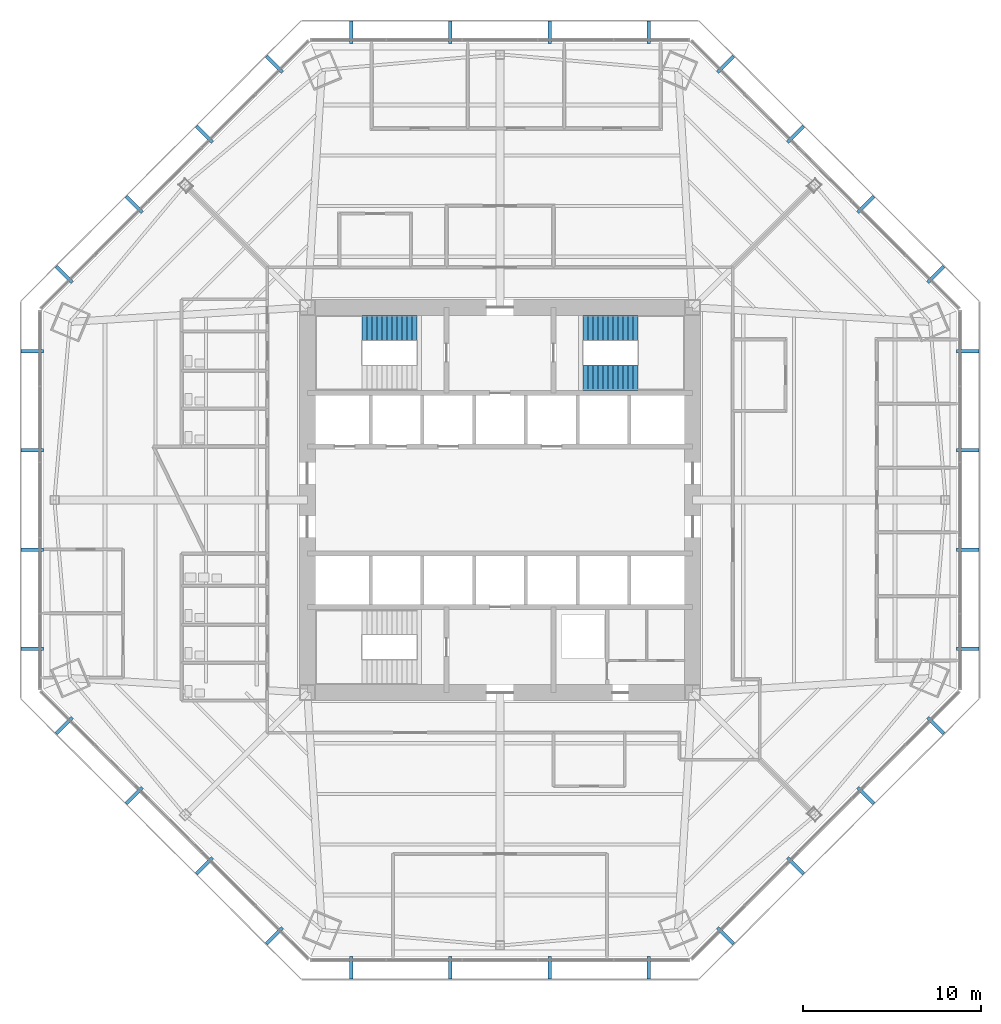
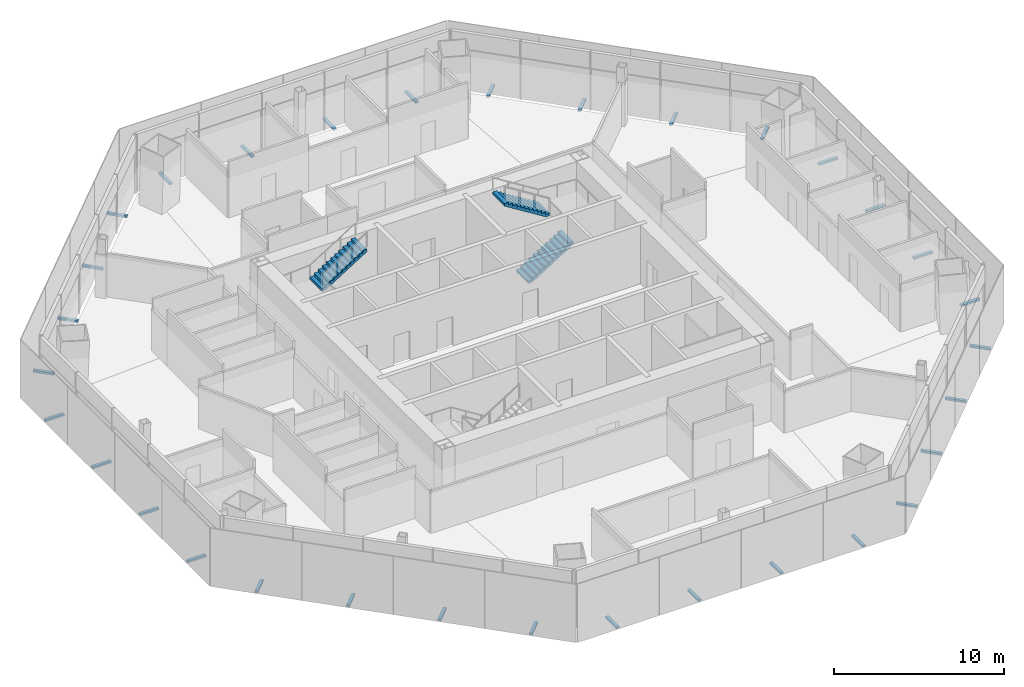
# One storey, part 13 of 16: 32 discrete accessories, 3 stair flights, 2 elements without a shape of their own.
"""IFC4 building model written with IfcOpenShell, lengths in metres."""

from ifc_helpers import new_model, si_unit, direction, frame, origin, origin_2d, place, context, subcontext, project, spatial, polyline, rectangle, outline, extrude, source, transform, mapped, material, type_object, type_shapes, element, aggregate, save


model = new_model("IFC4")

# Units and contexts
model_context = context("Model", 3, precision=1e-05, world=origin(), true_north=direction((0.0, 1.0)))
body_context = subcontext(model_context, "Body", "Model", "MODEL_VIEW")
ifc_project = project(units=[si_unit("LENGTHUNIT", "METRE"), si_unit("AREAUNIT", "SQUARE_METRE"), si_unit("VOLUMEUNIT", "CUBIC_METRE"), si_unit("PLANEANGLEUNIT", "RADIAN"), si_unit("MASSUNIT", "GRAM", prefix="KILO")], contexts=[model_context])

# Site, building, storey
site_placement = place(None, origin())
site = spatial("IfcSite", under=ifc_project, at=site_placement, CompositionType="ELEMENT")
building_placement = place(site_placement, origin())
building = spatial("IfcBuilding", under=site, at=building_placement, Name="Mashrafa Tower", CompositionType="ELEMENT")
storey_placement = place(building_placement, frame((0.0, 0.0, 79.199951171875)))
storey = spatial("IfcBuildingStorey", under=building, at=storey_placement, Name="L17", CompositionType="ELEMENT", Elevation=79.199951171875)

# Stair, stair flight
ifc_material_1 = material(Name="Exit stair 1400")
stair_type = type_object("IfcStairType", Name="Exit stair 1400", PredefinedType="HALF_TURN_STAIR", material=ifc_material_1)
stair_1_placement = place(storey_placement, origin())
stair_1 = element("IfcStair", 1, at=stair_1_placement, inside=storey, type_object=stair_type, Name="Stair S1 L17", PredefinedType="HALF_TURN_STAIR")
ifc_material_2 = material(Name="Concrete C32/40", Category="concrete")
stair_flight_type = type_object("IfcStairFlightType", Name="Stair flight 1400", PredefinedType="STRAIGHT", material=ifc_material_2)
stair_flight_1_placement = place(storey_placement, frame((-7.72998046875, 9.64990234375, 2.10009765625), z_axis=(0.0, 0.0, 1.0), x_axis=(1.0, 0.0, 0.0)))
stair_flight_1 = element("IfcStairFlight", 2, at=stair_flight_1_placement, type_object=stair_flight_type, Name="S1 flight 2", NumberOfRisers=12, NumberOfTreads=11, PredefinedType="STRAIGHT", RiserHeight=0.175, TreadLength=0.28, context=body_context, shape_type="SweptSolid", body=[
    extrude(outline(polyline([(0.0, 0.0), (0.0, 0.175048828125), (0.280029296875, 0.175048828125), (0.280029296875, 0.35009765625), (0.56005859375, 0.35009765625), (0.56005859375, 0.52490234375), (0.840087890625, 0.52490234375), (0.840087890625, 0.699951171875), (1.1201171875, 0.699951171875), (1.1201171875, 0.875), (1.39990234375, 0.875), (1.39990234375, 1.050048828125), (1.679931640625, 1.050048828125), (1.679931640625, 1.22509765625), (1.9599609375, 1.22509765625), (1.9599609375, 1.39990234375), (2.239990234375, 1.39990234375), (2.239990234375, 1.574951171875), (2.52001953125, 1.574951171875), (2.52001953125, 1.75), (2.800048828125, 1.75), (2.800048828125, 1.925048828125), (3.080078125, 1.925048828125), (3.080078125, 2.10009765625), (3.080078125, 1.748291015625), (0.28271484375, 0.0), (0.0, 0.0)])), frame((0.0, 0.699951171875, 0.0), z_axis=(0.0, -1.0, 0.0), x_axis=(1.0, 0.0, 0.0)), (0.0, 0.0, 1.0), 1.39990234375),
])
aggregate(stair_1, [stair_flight_1])

# Stair, stair flights
stair_2_placement = place(storey_placement, origin())
stair_2 = element("IfcStair", 3, at=stair_2_placement, inside=storey, type_object=stair_type, Name="Stair S2 L17", PredefinedType="HALF_TURN_STAIR")
stair_flight_2_placement = place(storey_placement, frame((4.64990234375, 6.85009765625, 0.0), z_axis=(0.0, 0.0, 1.0), x_axis=(1.0, 0.0, 0.0)))
stair_flight_2 = element("IfcStairFlight", 4, at=stair_flight_2_placement, type_object=stair_flight_type, Name="S2 flight 1", NumberOfRisers=12, NumberOfTreads=11, PredefinedType="STRAIGHT", RiserHeight=0.175, TreadLength=0.28, context=body_context, shape_type="SweptSolid", body=[
    extrude(outline(polyline([(0.0, 0.0), (0.0, 0.175048828125), (0.280029296875, 0.175048828125), (0.280029296875, 0.35009765625), (0.56005859375, 0.35009765625), (0.56005859375, 0.52490234375), (0.840087890625, 0.52490234375), (0.840087890625, 0.699951171875), (1.1201171875, 0.699951171875), (1.1201171875, 0.875), (1.39990234375, 0.875), (1.39990234375, 1.050048828125), (1.679931640625, 1.050048828125), (1.679931640625, 1.22509765625), (1.9599609375, 1.22509765625), (1.9599609375, 1.39990234375), (2.239990234375, 1.39990234375), (2.239990234375, 1.574951171875), (2.52001953125, 1.574951171875), (2.52001953125, 1.75), (2.800048828125, 1.75), (2.800048828125, 1.925048828125), (3.080078125, 1.925048828125), (3.080078125, 2.10009765625), (3.080078125, 1.748291015625), (0.28271484375, 0.0), (0.0, 0.0)])), frame((0.0, 0.699951171875, 0.0), z_axis=(0.0, -1.0, 0.0), x_axis=(1.0, 0.0, 0.0)), (0.0, 0.0, 1.0), 1.39990234375),
])
stair_flight_3_placement = place(storey_placement, frame((7.72998046875, 9.64990234375, 2.10009765625), z_axis=(0.0, 0.0, 1.0), x_axis=(-1.0, 0.0, 0.0)))
stair_flight_3 = element("IfcStairFlight", 5, at=stair_flight_3_placement, type_object=stair_flight_type, Name="S2 flight 2", NumberOfRisers=12, NumberOfTreads=11, PredefinedType="STRAIGHT", RiserHeight=0.175, TreadLength=0.28, context=body_context, shape_type="SweptSolid", body=[
    extrude(outline(polyline([(0.0, 0.0), (0.0, 0.175048828125), (0.280029296875, 0.175048828125), (0.280029296875, 0.35009765625), (0.56005859375, 0.35009765625), (0.56005859375, 0.52490234375), (0.840087890625, 0.52490234375), (0.840087890625, 0.699951171875), (1.1201171875, 0.699951171875), (1.1201171875, 0.875), (1.39990234375, 0.875), (1.39990234375, 1.050048828125), (1.679931640625, 1.050048828125), (1.679931640625, 1.22509765625), (1.9599609375, 1.22509765625), (1.9599609375, 1.39990234375), (2.239990234375, 1.39990234375), (2.239990234375, 1.574951171875), (2.52001953125, 1.574951171875), (2.52001953125, 1.75), (2.800048828125, 1.75), (2.800048828125, 1.925048828125), (3.080078125, 1.925048828125), (3.080078125, 2.10009765625), (3.080078125, 1.748291015625), (0.28271484375, 0.0), (0.0, 0.0)])), frame((0.0, 0.699951171875, 0.0), z_axis=(0.0, -1.0, 0.0), x_axis=(1.0, 0.0, 0.0)), (0.0, 0.0, 1.0), 1.39990234375),
])
aggregate(stair_2, [stair_flight_2, stair_flight_3])

# Discrete accessories
ifc_material_3 = material(Name="Stainless steel screen bracket", Category="steel")
discrete_accessory_type = type_object("IfcDiscreteAccessoryType", Name="Screen support bracket 200 x 150", PredefinedType="BRACKET", material=ifc_material_3)
shared_shape = source(origin(), body_context, "Body", "SweptSolid", [
    extrude(rectangle(XDim=0.199951171875, YDim=1.27001953125, at=origin_2d()), origin(), (0.0, 0.0, 1.0), 0.14990234375),
])
type_shapes(discrete_accessory_type, [shared_shape])
for number, where, z_axis, x_axis, name in (
    (6, (26.209228515625, -8.33203125, -0.14990234375), (0.0, 0.0, 1.0), (0.0, 1.0, 0.0), "Screen support bracket L17 east 1"),
    (7, (26.209228515625, -2.77734375, -0.14990234375), (0.0, 0.0, 1.0), (0.0, 1.0, 0.0), "Screen support bracket L17 east 2"),
    (8, (26.209228515625, 2.77734375, -0.14990234375), (0.0, 0.0, 1.0), (0.0, 1.0, 0.0), "Screen support bracket L17 east 3"),
    (9, (26.209228515625, 8.33203125, -0.14990234375), (0.0, 0.0, 1.0), (0.0, 1.0, 0.0), "Screen support bracket L17 east 4"),
    (10, (24.42431640625, 12.64111328125, -0.14990234375), (0.0, 0.0, 1.0), (-0.707106781187, 0.707106781187, 0.0), "Screen support bracket L17 north-east 1"),
    (11, (20.49658203125, 16.56884765625, -0.14990234375), (0.0, 0.0, 1.0), (-0.707106781187, 0.707106781187, 0.0), "Screen support bracket L17 north-east 2"),
    (12, (16.56884765625, 20.49658203125, -0.14990234375), (0.0, 0.0, 1.0), (-0.707106781187, 0.707106781187, 0.0), "Screen support bracket L17 north-east 3"),
    (13, (12.64111328125, 24.42431640625, -0.14990234375), (0.0, 0.0, 1.0), (-0.707106781187, 0.707106781187, 0.0), "Screen support bracket L17 north-east 4"),
    (14, (8.33203125, 26.209228515625, -0.14990234375), (0.0, 0.0, 1.0), (-1.0, 0.0, 0.0), "Screen support bracket L17 north 1"),
    (15, (2.77734375, 26.209228515625, -0.14990234375), (0.0, 0.0, 1.0), (-1.0, 0.0, 0.0), "Screen support bracket L17 north 2"),
    (16, (-2.77734375, 26.209228515625, -0.14990234375), (0.0, 0.0, 1.0), (-1.0, 0.0, 0.0), "Screen support bracket L17 north 3"),
    (17, (-8.33203125, 26.209228515625, -0.14990234375), (0.0, 0.0, 1.0), (-1.0, 0.0, 0.0), "Screen support bracket L17 north 4"),
    (18, (-12.64111328125, 24.42431640625, -0.14990234375), (0.0, 0.0, 1.0), (-0.707106781187, -0.707106781187, 0.0), "Screen support bracket L17 north-west 1"),
    (19, (-16.56884765625, 20.49658203125, -0.14990234375), (0.0, 0.0, 1.0), (-0.707106781187, -0.707106781187, 0.0), "Screen support bracket L17 north-west 2"),
    (20, (-20.49658203125, 16.56884765625, -0.14990234375), (0.0, 0.0, 1.0), (-0.707106781187, -0.707106781187, 0.0), "Screen support bracket L17 north-west 3"),
    (21, (-24.42431640625, 12.64111328125, -0.14990234375), (0.0, 0.0, 1.0), (-0.707106781187, -0.707106781187, 0.0), "Screen support bracket L17 north-west 4"),
    (22, (-26.209228515625, 8.33203125, -0.14990234375), (0.0, 0.0, 1.0), (0.0, -1.0, 0.0), "Screen support bracket L17 west 1"),
    (23, (-26.209228515625, 2.77734375, -0.14990234375), (0.0, 0.0, 1.0), (0.0, -1.0, 0.0), "Screen support bracket L17 west 2"),
    (24, (-26.209228515625, -2.77734375, -0.14990234375), (0.0, 0.0, 1.0), (0.0, -1.0, 0.0), "Screen support bracket L17 west 3"),
    (25, (-26.209228515625, -8.33203125, -0.14990234375), (0.0, 0.0, 1.0), (0.0, -1.0, 0.0), "Screen support bracket L17 west 4"),
    (26, (-24.42431640625, -12.64111328125, -0.14990234375), (0.0, 0.0, 1.0), (0.707106781187, -0.707106781187, 0.0), "Screen support bracket L17 south-west 1"),
    (27, (-20.49658203125, -16.56884765625, -0.14990234375), (0.0, 0.0, 1.0), (0.707106781187, -0.707106781187, 0.0), "Screen support bracket L17 south-west 2"),
    (28, (-16.56884765625, -20.49658203125, -0.14990234375), (0.0, 0.0, 1.0), (0.707106781187, -0.707106781187, 0.0), "Screen support bracket L17 south-west 3"),
    (29, (-12.64111328125, -24.42431640625, -0.14990234375), (0.0, 0.0, 1.0), (0.707106781187, -0.707106781187, 0.0), "Screen support bracket L17 south-west 4"),
    (30, (-8.33203125, -26.209228515625, -0.14990234375), (0.0, 0.0, 1.0), (1.0, 0.0, 0.0), "Screen support bracket L17 south 1"),
    (31, (-2.77734375, -26.209228515625, -0.14990234375), (0.0, 0.0, 1.0), (1.0, 0.0, 0.0), "Screen support bracket L17 south 2"),
    (32, (2.77734375, -26.209228515625, -0.14990234375), (0.0, 0.0, 1.0), (1.0, 0.0, 0.0), "Screen support bracket L17 south 3"),
    (33, (8.33203125, -26.209228515625, -0.14990234375), (0.0, 0.0, 1.0), (1.0, 0.0, 0.0), "Screen support bracket L17 south 4"),
    (34, (12.64111328125, -24.42431640625, -0.14990234375), (0.0, 0.0, 1.0), (0.707106781187, 0.707106781187, 0.0), "Screen support bracket L17 south-east 1"),
    (35, (16.56884765625, -20.49658203125, -0.14990234375), (0.0, 0.0, 1.0), (0.707106781187, 0.707106781187, 0.0), "Screen support bracket L17 south-east 2"),
    (36, (20.49658203125, -16.56884765625, -0.14990234375), (0.0, 0.0, 1.0), (0.707106781187, 0.707106781187, 0.0), "Screen support bracket L17 south-east 3"),
    (37, (24.42431640625, -12.64111328125, -0.14990234375), (0.0, 0.0, 1.0), (0.707106781187, 0.707106781187, 0.0), "Screen support bracket L17 south-east 4"),
):
    element("IfcDiscreteAccessory", number, at=place(storey_placement, frame(where, z_axis=z_axis, x_axis=x_axis)), inside=storey, type_object=discrete_accessory_type, Name=name, PredefinedType="BRACKET", context=body_context, shape_type="MappedRepresentation", body=[
        mapped(shared_shape, transform((0.0, 0.0, 0.0))),
    ])

save(model, "model.ifc")
